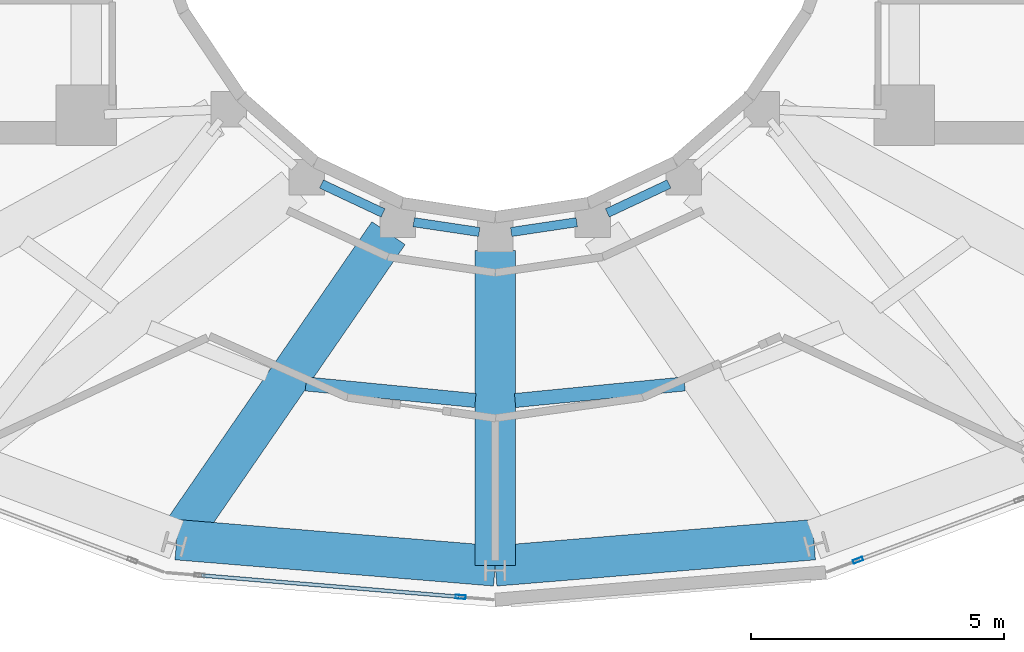
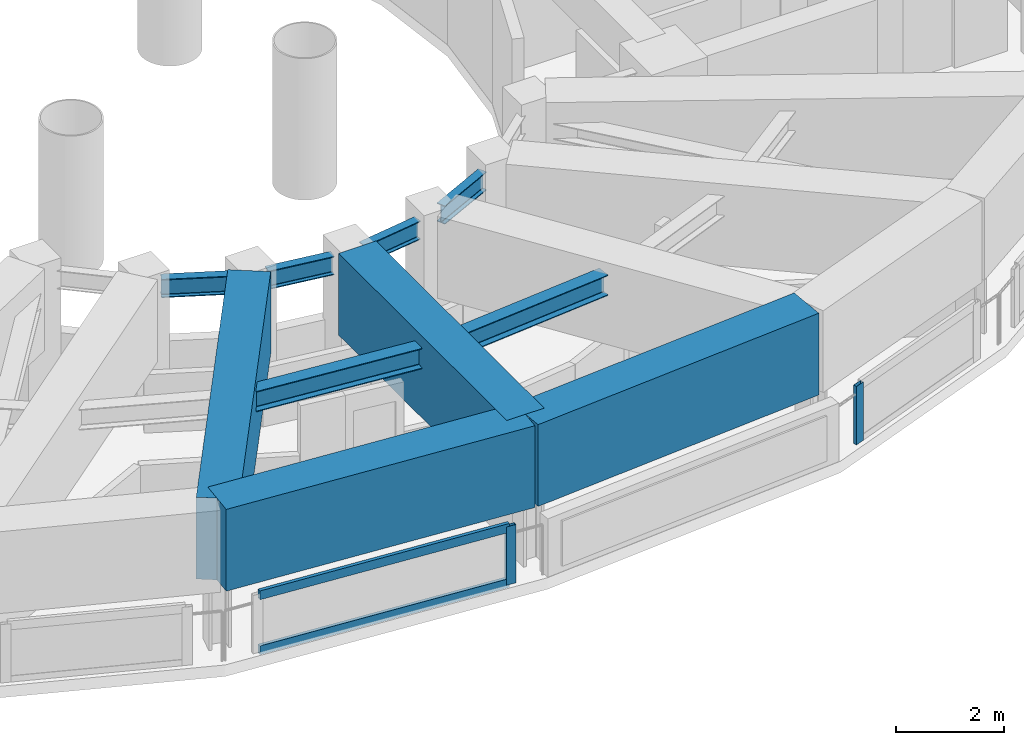
# One storey, part 4 of 17: 10 beams, 4 members, 2 elements without a shape of their own.
"""IFC4 building model written with IfcOpenShell, lengths in metres."""

from ifc_helpers import new_model, si_unit, direction, frame, origin, origin_2d, place, context, subcontext, project, spatial, rectangle, hollow_rectangle, i_section, extrude, material, layer, layer_set, material_profile, profile_set, type_object, element, aggregate, save


model = new_model("IFC4")

# Units and contexts
model_context = context("Model", 3, precision=1e-05, world=origin(), true_north=direction((0.0, 1.0)))
body_context = subcontext(model_context, "Body", "Model", "MODEL_VIEW")
ifc_project = project(units=[si_unit("LENGTHUNIT", "METRE"), si_unit("AREAUNIT", "SQUARE_METRE"), si_unit("VOLUMEUNIT", "CUBIC_METRE"), si_unit("PLANEANGLEUNIT", "RADIAN"), si_unit("MASSUNIT", "GRAM", prefix="KILO")], contexts=[model_context])

# Site, building, storey
site_placement = place(None, origin())
site = spatial("IfcSite", under=ifc_project, at=site_placement, CompositionType="ELEMENT")
building_placement = place(site_placement, origin())
building = spatial("IfcBuilding", under=site, at=building_placement, Name="Solvane Sanctuary Tower", CompositionType="ELEMENT")
storey_placement = place(building_placement, frame((0.0, 0.0, 273.199951171875)))
storey = spatial("IfcBuildingStorey", under=building, at=storey_placement, Name="L83", CompositionType="ELEMENT", Elevation=273.199951171875)

# Beams
ifc_material_1 = material(Name="Steel ASTM A992 Grade 50", Category="steel")
ifc_material_profile_1 = material_profile(ifc_material_1, i_section(OverallWidth=0.180908203125, OverallDepth=0.4169921875, WebThickness=0.010986328125, FlangeThickness=0.018310546875, FilletRadius=0.012939453125, at=origin_2d()), Name="W16X57")
ifc_profile_set_1 = profile_set([ifc_material_profile_1], Name="Steel ASTM A992 Grade 50")
beam_type_1 = type_object("IfcBeamType", Name="Beam B-ROOF-BM W16X57", PredefinedType="BEAM", material=ifc_profile_set_1)
beam_1_placement = place(storey_placement, frame((28.5595703125, 15.537353515625, 2.7294921875), z_axis=(0.905134542189, -0.425125229241, 0.0), x_axis=(0.425125229241, 0.905134542189, 0.0)))
element("IfcBeam", 1, at=beam_1_placement, inside=storey, type_object=beam_type_1, Name="L83 Inner Light-Well Ring Beam IC09-IC10", PredefinedType="BEAM", context=body_context, shape_type="SweptSolid", body=[
    extrude(i_section(OverallWidth=0.180908203125, OverallDepth=0.4169921875, WebThickness=0.010986328125, FlangeThickness=0.018310546875, FilletRadius=0.012939453125, at=origin_2d()), origin(), (0.0, 0.0, 1.0), 1.347900390625),
])
for number, where, z_axis, x_axis, name in (
    (2, (30.3857421875, 14.781005859375, 2.7294921875), (0.989056121481, -0.147539786368, 0.0), (0.147539786368, 0.989056121481, 0.0), "L83 Inner Light-Well Ring Beam IC10-IC11"),
    (3, (32.31640625, 14.58740234375, 2.7294921875), (0.989056121481, 0.147539786368, 0.0), (-0.147539786368, 0.989056121481, 0.0), "L83 Inner Light-Well Ring Beam IC11-IC12"),
):
    element("IfcBeam", number, at=place(storey_placement, frame(where, z_axis=z_axis, x_axis=x_axis)), inside=storey, type_object=beam_type_1, Name=name, PredefinedType="BEAM", context=body_context, shape_type="SweptSolid", body=[
        extrude(i_section(OverallWidth=0.180908203125, OverallDepth=0.4169921875, WebThickness=0.010986328125, FlangeThickness=0.018310546875, FilletRadius=0.012939453125, at=origin_2d()), origin(), (0.0, 0.0, 1.0), 1.312255859375),
    ])
beam_2_placement = place(storey_placement, frame((34.220458984375, 14.96435546875, 2.7294921875), z_axis=(0.905134542189, 0.425125229241, 0.0), x_axis=(-0.425125229241, 0.905134542189, 0.0)))
element("IfcBeam", 4, at=beam_2_placement, inside=storey, type_object=beam_type_1, Name="L83 Inner Light-Well Ring Beam IC12-IC13", PredefinedType="BEAM", context=body_context, shape_type="SweptSolid", body=[
    extrude(i_section(OverallWidth=0.180908203125, OverallDepth=0.4169921875, WebThickness=0.010986328125, FlangeThickness=0.018310546875, FilletRadius=0.012939453125, at=origin_2d()), origin(), (0.0, 0.0, 1.0), 1.347900390625),
])
ifc_material_profile_2 = material_profile(ifc_material_1, i_section(OverallWidth=0.280029296875, OverallDepth=0.462890625, WebThickness=0.0107421875, FlangeThickness=0.017333984375, FilletRadius=0.013916015625, at=origin_2d()), Name="W18X76")
ifc_profile_set_2 = profile_set([ifc_material_profile_2], Name="Steel ASTM A992 Grade 50")
beam_type_2 = type_object("IfcBeamType", Name="Beam B-SEC-JOIST W18X76", PredefinedType="JOIST", material=ifc_profile_set_2)
for number, where, z_axis, x_axis, name in (
    (5, (28.2509765625, 11.578857421875, 2.70654296875), (0.995247117756, -0.097381592709, 0.0), (0.097381592709, 0.995247117756, 0.0), "L83 Secondary Circumferential Joist 10-11"),
    (6, (32.39306640625, 11.25048828125, 2.70654296875), (0.995247117756, 0.097381592709, 0.0), (-0.097381592709, 0.995247117756, 0.0), "L83 Secondary Circumferential Joist 11-12"),
):
    element("IfcBeam", number, at=place(storey_placement, frame(where, z_axis=z_axis, x_axis=x_axis)), inside=storey, type_object=beam_type_2, Name=name, PredefinedType="JOIST", context=body_context, shape_type="SweptSolid", body=[
        extrude(i_section(OverallWidth=0.280029296875, OverallDepth=0.462890625, WebThickness=0.0107421875, FlangeThickness=0.017333984375, FilletRadius=0.013916015625, at=origin_2d()), origin(), (0.0, 0.0, 1.0), 3.3720703125),
    ])
ifc_material_2 = material(Name="Concrete C70/85", Category="concrete")
ifc_material_profile_3 = material_profile(ifc_material_2, rectangle(XDim=0.800048828125, YDim=1.85009765625, at=origin_2d()), Name="RC800X1850")
ifc_profile_set_3 = profile_set([ifc_material_profile_3], Name="Concrete C70/85")
beam_type_3 = type_object("IfcBeamType", Name="Beam B-XFER-BLK RC800X1850", PredefinedType="BEAM", material=ifc_profile_set_3)
beam_3_placement = place(storey_placement, frame((29.8876953125, 14.564697265625, 2.275146484375), z_axis=(-0.567191526653, -0.823585922715, 0.0), x_axis=(0.823585922715, -0.567191526653, 0.0)))
element("IfcBeam", 7, at=beam_3_placement, inside=storey, type_object=beam_type_3, Name="L83 Block-Shift Radial Transfer Girder 10A", PredefinedType="BEAM", context=body_context, shape_type="SweptSolid", body=[
    extrude(rectangle(XDim=0.800048828125, YDim=1.85009765625, at=origin_2d()), origin(), (0.0, 0.0, 1.0), 7.377685546875),
])
beam_4_placement = place(storey_placement, frame((32.0, 14.219970703125, 2.275146484375), z_axis=(0.0, -1.0, 0.0), x_axis=(1.0, 0.0, 0.0)))
element("IfcBeam", 8, at=beam_4_placement, inside=storey, type_object=beam_type_3, Name="L83 Block-Shift Radial Transfer Girder 11A", PredefinedType="BEAM", context=body_context, shape_type="SweptSolid", body=[
    extrude(rectangle(XDim=0.800048828125, YDim=1.85009765625, at=origin_2d()), origin(), (0.0, 0.0, 1.0), 6.236083984375),
])
for number, where, z_axis, x_axis, name in (
    (9, (25.691650390625, 8.494140625, 2.275146484375), (0.996632195507, -0.082001627294, 0.0), (0.082001627294, 0.996632195507, 0.0), "L83 Perimeter Step Transfer Ring NTC10-NTC11"),
    (10, (32.0, 7.97509765625, 2.275146484375), (0.996632195507, 0.082001627294, 0.0), (-0.082001627294, 0.996632195507, 0.0), "L83 Perimeter Step Transfer Ring NTC11-NTC12"),
):
    element("IfcBeam", number, at=place(storey_placement, frame(where, z_axis=z_axis, x_axis=x_axis)), inside=storey, type_object=beam_type_3, Name=name, PredefinedType="BEAM", context=body_context, shape_type="SweptSolid", body=[
        extrude(rectangle(XDim=0.800048828125, YDim=1.85009765625, at=origin_2d()), origin(), (0.0, 0.0, 1.0), 6.32958984375),
    ])

# Curtain wall, member
ifc_material_3 = material(Name="Anodised Aluminium 6063-T6", Category="aluminium")
ifc_layer = layer(ifc_material_3, 0.219970703125, Name="Anodised Aluminium 6063-T6")
ifc_layer_set = layer_set([ifc_layer], Name="Anodised Aluminium 6063-T6")
curtain_wall_type = type_object("IfcCurtainWallType", Name="Curtain Wall CW-CROWN", PredefinedType="NOTDEFINED", material=ifc_layer_set)
curtain_wall_1_placement = place(storey_placement, origin())
curtain_wall_1 = element("IfcCurtainWall", 11, at=curtain_wall_1_placement, inside=storey, type_object=curtain_wall_type, Name="L83 Crown Fritted Lantern Curtain Wall 17", PredefinedType="NOTDEFINED")
ifc_material_profile_4 = material_profile(ifc_material_3, hollow_rectangle(XDim=0.074951171875, YDim=0.199951171875, WallThickness=0.00390625, at=origin_2d()), Name="ALU200X75X4")
ifc_profile_set_4 = profile_set([ifc_material_profile_4], Name="Anodised Aluminium 6063-T6")
member_type_1 = type_object("IfcMemberType", Name="Member M-CW-MUL-1 ALU200X75X4", PredefinedType="MULLION", material=ifc_profile_set_4)
member_1_placement = place(storey_placement, frame((31.31494140625, 7.36083984375, 0.0), z_axis=(0.0, 0.0, 1.0), x_axis=(0.082636617486, 0.996579745655, 0.0)))
member_1 = element("IfcMember", 12, at=member_1_placement, type_object=member_type_1, Name="CW-CROWN mullion 2", PredefinedType="MULLION", context=body_context, shape_type="SweptSolid", body=[
    extrude(hollow_rectangle(XDim=0.074951171875, YDim=0.199951171875, WallThickness=0.00390625, at=origin_2d()), origin(), (0.0, 0.0, 1.0), 1.320068359375),
])

curtain_wall_2_placement = place(storey_placement, origin())
curtain_wall_2 = element("IfcCurtainWall", 13, at=curtain_wall_2_placement, inside=storey, type_object=curtain_wall_type, Name="L83 Crown Fritted Lantern Curtain Wall 19", PredefinedType="NOTDEFINED")
member_2_placement = place(storey_placement, frame((39.18408203125, 8.087890625, 0.0), z_axis=(0.0, 0.0, 1.0), x_axis=(-0.351475292665, 0.936197157999, 0.0)))
member_2 = element("IfcMember", 14, at=member_2_placement, type_object=member_type_1, Name="CW-CROWN mullion 1", PredefinedType="MULLION", context=body_context, shape_type="SweptSolid", body=[
    extrude(hollow_rectangle(XDim=0.074951171875, YDim=0.199951171875, WallThickness=0.00390625, at=origin_2d()), origin(), (0.0, 0.0, 1.0), 1.320068359375),
])
aggregate(curtain_wall_2, [member_2])

# Member
ifc_material_profile_5 = material_profile(ifc_material_3, hollow_rectangle(XDim=0.074951171875, YDim=0.199951171875, WallThickness=0.00390625, at=origin_2d()), Name="ALU200X75X4")
ifc_profile_set_5 = profile_set([ifc_material_profile_5], Name="Anodised Aluminium 6063-T6")
member_type_2 = type_object("IfcMemberType", Name="Member M-CW-TRN-2 ALU200X75X4", PredefinedType="USERDEFINED", material=ifc_profile_set_5)
member_3_placement = place(storey_placement, frame((26.18212890625, 7.786376953125, 0.03759765625), z_axis=(0.996581889002, -0.082610765116, 0.0), x_axis=(0.082610765116, 0.996581889002, 0.0)))
member_3 = element("IfcMember", 15, at=member_3_placement, type_object=member_type_2, Name="CW-CROWN transom 1.1", ObjectType="TRANSOM", PredefinedType="USERDEFINED", context=body_context, shape_type="SweptSolid", body=[
    extrude(hollow_rectangle(XDim=0.074951171875, YDim=0.199951171875, WallThickness=0.00390625, at=origin_2d()), origin(), (0.0, 0.0, 1.0), 5.11279296875),
])

member_4_placement = place(storey_placement, frame((26.18212890625, 7.786376953125, 1.282470703125), z_axis=(0.996581889002, -0.082610765116, 0.0), x_axis=(0.082610765116, 0.996581889002, 0.0)))
member_4 = element("IfcMember", 16, at=member_4_placement, type_object=member_type_2, Name="CW-CROWN transom 1.2", ObjectType="TRANSOM", PredefinedType="USERDEFINED", context=body_context, shape_type="SweptSolid", body=[
    extrude(hollow_rectangle(XDim=0.074951171875, YDim=0.199951171875, WallThickness=0.00390625, at=origin_2d()), origin(), (0.0, 0.0, 1.0), 5.11279296875),
])

aggregate(curtain_wall_1, [member_1, member_3, member_4])

save(model, "model.ifc")
